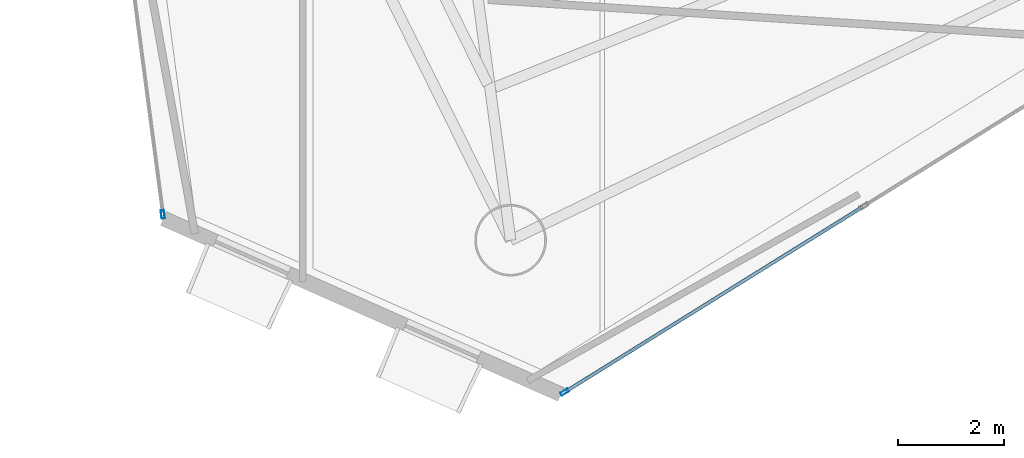
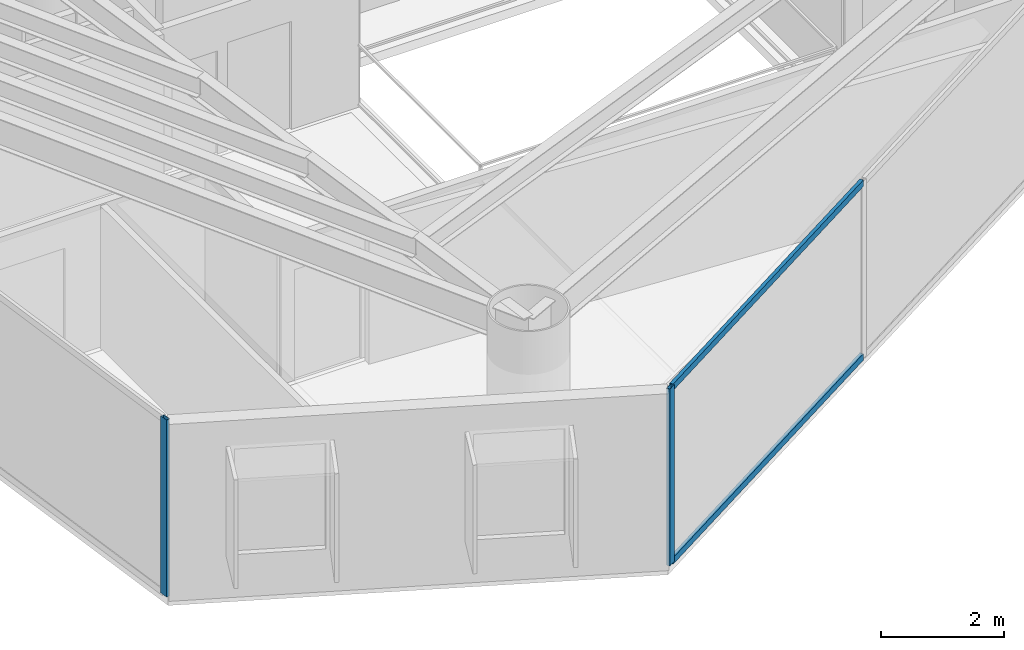
# One storey, part 2 of 22: 4 members, 2 elements without a shape of their own.
"""IFC4 building model written with IfcOpenShell, lengths in metres."""

from ifc_helpers import new_model, si_unit, direction, frame, origin, origin_2d, place, context, subcontext, project, spatial, hollow_rectangle, extrude, material, layer, layer_set, material_profile, profile_set, type_object, element, aggregate, save


model = new_model("IFC4")

# Units and contexts
model_context = context("Model", 3, precision=1e-05, world=origin(), true_north=direction((0.0, 1.0)))
body_context = subcontext(model_context, "Body", "Model", "MODEL_VIEW")
ifc_project = project(units=[si_unit("LENGTHUNIT", "METRE"), si_unit("AREAUNIT", "SQUARE_METRE"), si_unit("VOLUMEUNIT", "CUBIC_METRE"), si_unit("PLANEANGLEUNIT", "RADIAN"), si_unit("MASSUNIT", "GRAM", prefix="KILO")], contexts=[model_context])

# Site, building, storey
site_placement = place(None, origin())
site = spatial("IfcSite", under=ifc_project, at=site_placement, CompositionType="ELEMENT")
building_placement = place(site_placement, origin())
building = spatial("IfcBuilding", under=site, at=building_placement, Name="Qianvela Tower", CompositionType="ELEMENT")
storey_placement = place(building_placement, frame((0.0, 0.0, 177.199951171875)))
storey = spatial("IfcBuildingStorey", under=building, at=storey_placement, Name="L45", CompositionType="ELEMENT", Elevation=177.199951171875)

# Curtain wall, member
ifc_material_1 = material(Name="Anodised Architectural Aluminium and Low-E Glass", Category="aluminium")
ifc_layer = layer(ifc_material_1, 0.169921875)
ifc_layer_set = layer_set([ifc_layer], Name="Anodised Architectural Aluminium and Low-E Glass")
curtain_wall_type = type_object("IfcCurtainWallType", Name="CW-COLIV-Z34", PredefinedType="USERDEFINED", material=ifc_layer_set)
curtain_wall_1_placement = place(storey_placement, origin())
curtain_wall_1 = element("IfcCurtainWall", 1, at=curtain_wall_1_placement, inside=storey, type_object=curtain_wall_type, Name="L45 CW-COLIV-Z34 Curtain Wall 04C", ObjectType="CURTAIN_WALL_SYSTEM", PredefinedType="USERDEFINED")
ifc_material_2 = material(Name="Anodised Architectural Aluminium 6063-T6", Category="aluminium")
ifc_material_profile_1 = material_profile(ifc_material_2, hollow_rectangle(XDim=0.06494140625, YDim=0.159912109375, WallThickness=0.0048828125, at=origin_2d()), Name="ALU-MULL-65x160")
ifc_profile_set_1 = profile_set([ifc_material_profile_1], Name="Anodised Architectural Aluminium 6063-T6")
member_type_1 = type_object("IfcMemberType", Name="CW-COLIV-Z34-MULL", PredefinedType="MULLION", material=ifc_profile_set_1)
member_1_placement = place(storey_placement, frame((23.792724609375, 11.398681640625, 0.0), z_axis=(0.0, 0.0, 1.0), x_axis=(0.991398323656, 0.130879195646, 0.0)))
member_1 = element("IfcMember", 2, at=member_1_placement, type_object=member_type_1, Name="CW-4 mullion 2", PredefinedType="MULLION", context=body_context, shape_type="SweptSolid", body=[
    extrude(hollow_rectangle(XDim=0.06494140625, YDim=0.159912109375, WallThickness=0.0048828125, at=origin_2d()), origin(), (0.0, 0.0, 1.0), 3.52001953125),
])
aggregate(curtain_wall_1, [member_1])

# Curtain wall, members
curtain_wall_2_placement = place(storey_placement, origin())
curtain_wall_2 = element("IfcCurtainWall", 3, at=curtain_wall_2_placement, inside=storey, type_object=curtain_wall_type, Name="L45 CW-COLIV-Z34 Curtain Wall 06A", ObjectType="CURTAIN_WALL_SYSTEM", PredefinedType="USERDEFINED")
member_2_placement = place(storey_placement, frame((31.3662109375, 8.04541015625, 0.0), z_axis=(0.0, 0.0, 1.0), x_axis=(-0.528037502216, 0.849221052644, 0.0)))
member_2 = element("IfcMember", 4, at=member_2_placement, type_object=member_type_1, Name="CW-4 mullion 1", PredefinedType="MULLION", context=body_context, shape_type="SweptSolid", body=[
    extrude(hollow_rectangle(XDim=0.06494140625, YDim=0.159912109375, WallThickness=0.0048828125, at=origin_2d()), origin(), (0.0, 0.0, 1.0), 3.52001953125),
])
ifc_material_3 = material(Name="Anodised Architectural Aluminium 6063-T6", Category="aluminium")
ifc_material_profile_2 = material_profile(ifc_material_3, hollow_rectangle(XDim=0.06494140625, YDim=0.1298828125, WallThickness=0.00439453125, at=origin_2d()), Name="ALU-TRAN-65x130")
ifc_profile_set_2 = profile_set([ifc_material_profile_2], Name="Anodised Architectural Aluminium 6063-T6")
member_type_2 = type_object("IfcMemberType", Name="CW-COLIV-Z34-TRAN", PredefinedType="USERDEFINED", material=ifc_profile_set_2)
member_3_placement = place(storey_placement, frame((31.393798828125, 8.0625, 0.032470703125), z_axis=(0.849230447412, 0.528022392696, 0.0), x_axis=(-0.528022392696, 0.849230447412, 0.0)))
member_3 = element("IfcMember", 5, at=member_3_placement, type_object=member_type_2, Name="CW-4 transom 1.1", ObjectType="TRANSOM", PredefinedType="USERDEFINED", context=body_context, shape_type="SweptSolid", body=[
    extrude(hollow_rectangle(XDim=0.06494140625, YDim=0.1298828125, WallThickness=0.00439453125, at=origin_2d()), origin(), (0.0, 0.0, 1.0), 6.57763671875),
])
member_4_placement = place(storey_placement, frame((31.393798828125, 8.0625, 3.487548828125), z_axis=(0.849230447412, 0.528022392696, 0.0), x_axis=(-0.528022392696, 0.849230447412, 0.0)))
member_4 = element("IfcMember", 6, at=member_4_placement, type_object=member_type_2, Name="CW-4 transom 1.2", ObjectType="TRANSOM", PredefinedType="USERDEFINED", context=body_context, shape_type="SweptSolid", body=[
    extrude(hollow_rectangle(XDim=0.06494140625, YDim=0.1298828125, WallThickness=0.00439453125, at=origin_2d()), origin(), (0.0, 0.0, 1.0), 6.57763671875),
])
aggregate(curtain_wall_2, [member_2, member_3, member_4])

save(model, "model.ifc")
